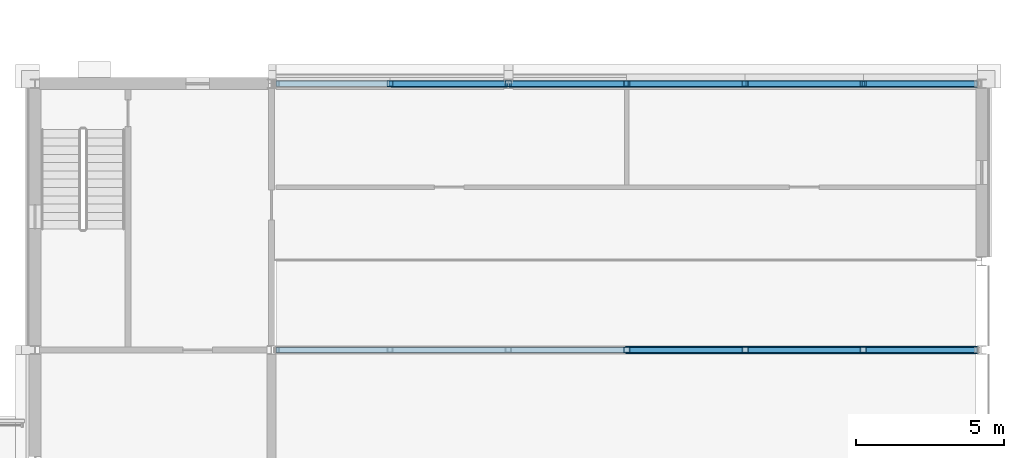
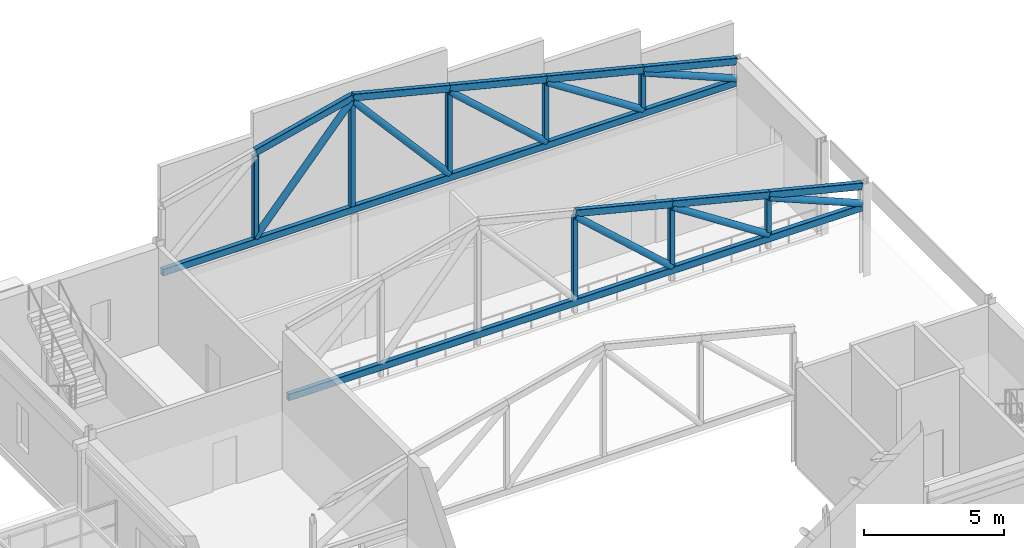
# One storey, part 72 of 149: 26 members.
"""IFC4 building model written with IfcOpenShell, lengths in metres."""

from ifc_helpers import new_model, si_unit, direction, frame, origin, origin_2d, place, context, subcontext, project, spatial, hollow_rectangle, hollow_circle, extrude, material, material_profile, profile_set, type_object, element, save


model = new_model("IFC4")

# Units and contexts
model_context = context("Model", 3, precision=1e-05, world=origin(), true_north=direction((0.0, 1.0)))
body_context = subcontext(model_context, "Body", "Model", "MODEL_VIEW")
ifc_project = project(units=[si_unit("LENGTHUNIT", "METRE"), si_unit("AREAUNIT", "SQUARE_METRE"), si_unit("VOLUMEUNIT", "CUBIC_METRE"), si_unit("PLANEANGLEUNIT", "RADIAN"), si_unit("MASSUNIT", "GRAM", prefix="KILO")], contexts=[model_context])

# Site, building, storey
site_placement = place(None, origin())
site = spatial("IfcSite", under=ifc_project, at=site_placement, CompositionType="ELEMENT")
building_placement = place(site_placement, origin())
building = spatial("IfcBuilding", under=site, at=building_placement, Name="Kallimachos Central Library", CompositionType="ELEMENT")
storey_placement = place(building_placement, frame((0.0, 0.0, 9.89990234375)))
storey = spatial("IfcBuildingStorey", under=building, at=storey_placement, Name="L02", CompositionType="ELEMENT", Elevation=9.89990234375)

# Members
ifc_material_1 = material(Name="Steel S355J2H", Category="steel")
ifc_material_profile_1 = material_profile(ifc_material_1, hollow_circle(Radius=0.136474609375, WallThickness=0.012451171875, at=origin_2d()), Name="CHS 273x12.5")
ifc_profile_set_1 = profile_set([ifc_material_profile_1], Name="Steel S355J2H")
member_type_1 = type_object("IfcMemberType", Name="CHS 273x12.5 truss brace", PredefinedType="BRACE", material=ifc_profile_set_1)
member_1_placement = place(storey_placement, frame((158.0, 105.0, 6.75), z_axis=(0.74330768127, 0.0, -0.668949692402), x_axis=(0.0, 1.0, 0.0)))
element("IfcMember", 1, at=member_1_placement, inside=storey, type_object=member_type_1, Name="Truss T3 brace 4", PredefinedType="BRACE", context=body_context, shape_type="SweptSolid", body=[
    extrude(hollow_circle(Radius=0.136474609375, WallThickness=0.012451171875, at=origin_2d()), origin(), (0.0, 0.0, 1.0), 5.38134765625),
])
member_2_placement = place(storey_placement, frame((162.0, 105.0, 5.75), z_axis=(0.838457646535, 0.0, -0.544966765012), x_axis=(0.0, 1.0, 0.0)))
element("IfcMember", 2, at=member_2_placement, inside=storey, type_object=member_type_1, Name="Truss T3 brace 5", PredefinedType="BRACE", context=body_context, shape_type="SweptSolid", body=[
    extrude(hollow_circle(Radius=0.136474609375, WallThickness=0.012451171875, at=origin_2d()), origin(), (0.0, 0.0, 1.0), 4.770751953125),
])
member_3_placement = place(storey_placement, frame((166.0, 105.0, 4.75), z_axis=(0.923447241071, 0.0, -0.38372541349), x_axis=(0.0, 1.0, 0.0)))
element("IfcMember", 3, at=member_3_placement, inside=storey, type_object=member_type_1, Name="Truss T3 brace 6", PredefinedType="BRACE", context=body_context, shape_type="SweptSolid", body=[
    extrude(hollow_circle(Radius=0.136474609375, WallThickness=0.012451171875, at=origin_2d()), origin(), (0.0, 0.0, 1.0), 4.169189453125),
])
for number, where, z_axis, x_axis, name in (
    (4, (150.0, 114.0, 3.150146484375), (0.656190613651, 0.0, 0.75459517528), (0.0, 1.0, 0.0), "Truss T4 brace 2"),
    (5, (154.0, 114.0, 7.75), (0.656190613651, 0.0, -0.75459517528), (0.0, 1.0, 0.0), "Truss T4 brace 3"),
):
    element("IfcMember", number, at=place(storey_placement, frame(where, z_axis=z_axis, x_axis=x_axis)), inside=storey, type_object=member_type_1, Name=name, PredefinedType="BRACE", context=body_context, shape_type="SweptSolid", body=[
        extrude(hollow_circle(Radius=0.136474609375, WallThickness=0.012451171875, at=origin_2d()), origin(), (0.0, 0.0, 1.0), 6.095703125),
    ])
member_4_placement = place(storey_placement, frame((158.0, 114.0, 6.75), z_axis=(0.74330768127, 0.0, -0.668949692402), x_axis=(0.0, 1.0, 0.0)))
element("IfcMember", 6, at=member_4_placement, inside=storey, type_object=member_type_1, Name="Truss T4 brace 4", PredefinedType="BRACE", context=body_context, shape_type="SweptSolid", body=[
    extrude(hollow_circle(Radius=0.136474609375, WallThickness=0.012451171875, at=origin_2d()), origin(), (0.0, 0.0, 1.0), 5.38134765625),
])
member_5_placement = place(storey_placement, frame((162.0, 114.0, 5.75), z_axis=(0.838457646535, 0.0, -0.544966765012), x_axis=(0.0, 1.0, 0.0)))
element("IfcMember", 7, at=member_5_placement, inside=storey, type_object=member_type_1, Name="Truss T4 brace 5", PredefinedType="BRACE", context=body_context, shape_type="SweptSolid", body=[
    extrude(hollow_circle(Radius=0.136474609375, WallThickness=0.012451171875, at=origin_2d()), origin(), (0.0, 0.0, 1.0), 4.770751953125),
])
member_6_placement = place(storey_placement, frame((166.0, 114.0, 4.75), z_axis=(0.923447241071, 0.0, -0.38372541349), x_axis=(0.0, 1.0, 0.0)))
element("IfcMember", 8, at=member_6_placement, inside=storey, type_object=member_type_1, Name="Truss T4 brace 6", PredefinedType="BRACE", context=body_context, shape_type="SweptSolid", body=[
    extrude(hollow_circle(Radius=0.136474609375, WallThickness=0.012451171875, at=origin_2d()), origin(), (0.0, 0.0, 1.0), 4.169189453125),
])
ifc_material_2 = material(Name="Steel S355J2H", Category="steel")
ifc_material_profile_2 = material_profile(ifc_material_2, hollow_rectangle(XDim=0.199951171875, YDim=0.300048828125, WallThickness=0.012451171875, InnerFilletRadius=0.012451171875, OuterFilletRadius=0.018798828125, at=origin_2d()), Name="RHS 300x200x12.5")
ifc_profile_set_2 = profile_set([ifc_material_profile_2], Name="Steel S355J2H")
member_type_2 = type_object("IfcMemberType", Name="RHS 300x200x12.5 truss chord", PredefinedType="CHORD", material=ifc_profile_set_2)
member_7_placement = place(storey_placement, frame((146.14990234375, 105.0, 3.0), z_axis=(1.0, 0.0, 0.0), x_axis=(0.0, 1.0, 0.0)))
element("IfcMember", 9, at=member_7_placement, inside=storey, type_object=member_type_2, Name="Truss T3 bottom chord", PredefinedType="CHORD", context=body_context, shape_type="SweptSolid", body=[
    extrude(hollow_rectangle(XDim=0.199951171875, YDim=0.300048828125, WallThickness=0.012451171875, InnerFilletRadius=0.012451171875, OuterFilletRadius=0.018798828125, at=origin_2d()), origin(), (0.0, 0.0, 1.0), 23.7001953125),
])
for number, where, z_axis, x_axis, name in (
    (10, (158.0, 105.0, 6.900146484375), (0.970142500145, 0.0, -0.242535625036), (0.0, 1.0, 0.0), "Truss T3 top chord 4"),
    (11, (162.0, 105.0, 5.900146484375), (0.970142500145, 0.0, -0.242535625036), (0.0, 1.0, 0.0), "Truss T3 top chord 5"),
):
    element("IfcMember", number, at=place(storey_placement, frame(where, z_axis=z_axis, x_axis=x_axis)), inside=storey, type_object=member_type_2, Name=name, PredefinedType="CHORD", context=body_context, shape_type="SweptSolid", body=[
        extrude(hollow_rectangle(XDim=0.199951171875, YDim=0.300048828125, WallThickness=0.012451171875, InnerFilletRadius=0.012451171875, OuterFilletRadius=0.018798828125, at=origin_2d()), origin(), (0.0, 0.0, 1.0), 4.123046875),
    ])
member_8_placement = place(storey_placement, frame((166.0, 105.0, 4.900146484375), z_axis=(0.970135262328, 0.0, -0.242564574468), x_axis=(0.0, 1.0, 0.0)))
element("IfcMember", 12, at=member_8_placement, inside=storey, type_object=member_type_2, Name="Truss T3 top chord 6", PredefinedType="CHORD", context=body_context, shape_type="SweptSolid", body=[
    extrude(hollow_rectangle(XDim=0.199951171875, YDim=0.300048828125, WallThickness=0.012451171875, InnerFilletRadius=0.012451171875, OuterFilletRadius=0.018798828125, at=origin_2d()), origin(), (0.0, 0.0, 1.0), 3.968505859375),
])
member_9_placement = place(storey_placement, frame((146.14990234375, 114.0, 3.0), z_axis=(1.0, 0.0, 0.0), x_axis=(0.0, 1.0, 0.0)))
element("IfcMember", 13, at=member_9_placement, inside=storey, type_object=member_type_2, Name="Truss T4 bottom chord", PredefinedType="CHORD", context=body_context, shape_type="SweptSolid", body=[
    extrude(hollow_rectangle(XDim=0.199951171875, YDim=0.300048828125, WallThickness=0.012451171875, InnerFilletRadius=0.012451171875, OuterFilletRadius=0.018798828125, at=origin_2d()), origin(), (0.0, 0.0, 1.0), 23.7001953125),
])
for number, where, z_axis, x_axis, name in (
    (14, (150.0, 114.0, 6.900146484375), (0.970142500145, 0.0, 0.242535625036), (0.0, 1.0, 0.0), "Truss T4 top chord 2"),
    (15, (154.0, 114.0, 7.900146484375), (0.970142500145, 0.0, -0.242535625036), (0.0, 1.0, 0.0), "Truss T4 top chord 3"),
    (16, (158.0, 114.0, 6.900146484375), (0.970142500145, 0.0, -0.242535625036), (0.0, 1.0, 0.0), "Truss T4 top chord 4"),
    (17, (162.0, 114.0, 5.900146484375), (0.970142500145, 0.0, -0.242535625036), (0.0, 1.0, 0.0), "Truss T4 top chord 5"),
):
    element("IfcMember", number, at=place(storey_placement, frame(where, z_axis=z_axis, x_axis=x_axis)), inside=storey, type_object=member_type_2, Name=name, PredefinedType="CHORD", context=body_context, shape_type="SweptSolid", body=[
        extrude(hollow_rectangle(XDim=0.199951171875, YDim=0.300048828125, WallThickness=0.012451171875, InnerFilletRadius=0.012451171875, OuterFilletRadius=0.018798828125, at=origin_2d()), origin(), (0.0, 0.0, 1.0), 4.123046875),
    ])
member_10_placement = place(storey_placement, frame((166.0, 114.0, 4.900146484375), z_axis=(0.970135262328, 0.0, -0.242564574468), x_axis=(0.0, 1.0, 0.0)))
element("IfcMember", 18, at=member_10_placement, inside=storey, type_object=member_type_2, Name="Truss T4 top chord 6", PredefinedType="CHORD", context=body_context, shape_type="SweptSolid", body=[
    extrude(hollow_rectangle(XDim=0.199951171875, YDim=0.300048828125, WallThickness=0.012451171875, InnerFilletRadius=0.012451171875, OuterFilletRadius=0.018798828125, at=origin_2d()), origin(), (0.0, 0.0, 1.0), 3.968505859375),
])
ifc_material_3 = material(Name="Steel S355J2H", Category="steel")
ifc_material_profile_3 = material_profile(ifc_material_3, hollow_rectangle(XDim=0.199951171875, YDim=0.199951171875, WallThickness=0.010009765625, InnerFilletRadius=0.010009765625, OuterFilletRadius=0.014892578125, at=origin_2d()), Name="SHS 200x200x10")
ifc_profile_set_3 = profile_set([ifc_material_profile_3], Name="Steel S355J2H")
member_type_3 = type_object("IfcMemberType", Name="SHS 200x200x10 truss post", PredefinedType="POST", material=ifc_profile_set_3)
member_11_placement = place(storey_placement, frame((158.0, 105.0, 3.150146484375), z_axis=(0.0, 0.0, 1.0), x_axis=(1.0, 0.0, 0.0)))
element("IfcMember", 19, at=member_11_placement, inside=storey, type_object=member_type_3, Name="Truss T3 post 4", PredefinedType="POST", context=body_context, shape_type="SweptSolid", body=[
    extrude(hollow_rectangle(XDim=0.199951171875, YDim=0.199951171875, WallThickness=0.010009765625, InnerFilletRadius=0.010009765625, OuterFilletRadius=0.014892578125, at=origin_2d()), origin(), (0.0, 0.0, 1.0), 3.599853515625),
])
member_12_placement = place(storey_placement, frame((162.0, 105.0, 3.150146484375), z_axis=(0.0, 0.0, 1.0), x_axis=(1.0, 0.0, 0.0)))
element("IfcMember", 20, at=member_12_placement, inside=storey, type_object=member_type_3, Name="Truss T3 post 5", PredefinedType="POST", context=body_context, shape_type="SweptSolid", body=[
    extrude(hollow_rectangle(XDim=0.199951171875, YDim=0.199951171875, WallThickness=0.010009765625, InnerFilletRadius=0.010009765625, OuterFilletRadius=0.014892578125, at=origin_2d()), origin(), (0.0, 0.0, 1.0), 2.599853515625),
])
member_13_placement = place(storey_placement, frame((166.0, 105.0, 3.150146484375), z_axis=(0.0, 0.0, 1.0), x_axis=(1.0, 0.0, 0.0)))
element("IfcMember", 21, at=member_13_placement, inside=storey, type_object=member_type_3, Name="Truss T3 post 6", PredefinedType="POST", context=body_context, shape_type="SweptSolid", body=[
    extrude(hollow_rectangle(XDim=0.199951171875, YDim=0.199951171875, WallThickness=0.010009765625, InnerFilletRadius=0.010009765625, OuterFilletRadius=0.014892578125, at=origin_2d()), origin(), (0.0, 0.0, 1.0), 1.599853515625),
])
member_14_placement = place(storey_placement, frame((150.0, 114.0, 3.150146484375), z_axis=(0.0, 0.0, 1.0), x_axis=(1.0, 0.0, 0.0)))
element("IfcMember", 22, at=member_14_placement, inside=storey, type_object=member_type_3, Name="Truss T4 post 2", PredefinedType="POST", context=body_context, shape_type="SweptSolid", body=[
    extrude(hollow_rectangle(XDim=0.199951171875, YDim=0.199951171875, WallThickness=0.010009765625, InnerFilletRadius=0.010009765625, OuterFilletRadius=0.014892578125, at=origin_2d()), origin(), (0.0, 0.0, 1.0), 3.599853515625),
])
member_15_placement = place(storey_placement, frame((154.0, 114.0, 3.150146484375), z_axis=(0.0, 0.0, 1.0), x_axis=(1.0, 0.0, 0.0)))
element("IfcMember", 23, at=member_15_placement, inside=storey, type_object=member_type_3, Name="Truss T4 post 3", PredefinedType="POST", context=body_context, shape_type="SweptSolid", body=[
    extrude(hollow_rectangle(XDim=0.199951171875, YDim=0.199951171875, WallThickness=0.010009765625, InnerFilletRadius=0.010009765625, OuterFilletRadius=0.014892578125, at=origin_2d()), origin(), (0.0, 0.0, 1.0), 4.599853515625),
])
member_16_placement = place(storey_placement, frame((158.0, 114.0, 3.150146484375), z_axis=(0.0, 0.0, 1.0), x_axis=(1.0, 0.0, 0.0)))
element("IfcMember", 24, at=member_16_placement, inside=storey, type_object=member_type_3, Name="Truss T4 post 4", PredefinedType="POST", context=body_context, shape_type="SweptSolid", body=[
    extrude(hollow_rectangle(XDim=0.199951171875, YDim=0.199951171875, WallThickness=0.010009765625, InnerFilletRadius=0.010009765625, OuterFilletRadius=0.014892578125, at=origin_2d()), origin(), (0.0, 0.0, 1.0), 3.599853515625),
])
member_17_placement = place(storey_placement, frame((162.0, 114.0, 3.150146484375), z_axis=(0.0, 0.0, 1.0), x_axis=(1.0, 0.0, 0.0)))
element("IfcMember", 25, at=member_17_placement, inside=storey, type_object=member_type_3, Name="Truss T4 post 5", PredefinedType="POST", context=body_context, shape_type="SweptSolid", body=[
    extrude(hollow_rectangle(XDim=0.199951171875, YDim=0.199951171875, WallThickness=0.010009765625, InnerFilletRadius=0.010009765625, OuterFilletRadius=0.014892578125, at=origin_2d()), origin(), (0.0, 0.0, 1.0), 2.599853515625),
])
member_18_placement = place(storey_placement, frame((166.0, 114.0, 3.150146484375), z_axis=(0.0, 0.0, 1.0), x_axis=(1.0, 0.0, 0.0)))
element("IfcMember", 26, at=member_18_placement, inside=storey, type_object=member_type_3, Name="Truss T4 post 6", PredefinedType="POST", context=body_context, shape_type="SweptSolid", body=[
    extrude(hollow_rectangle(XDim=0.199951171875, YDim=0.199951171875, WallThickness=0.010009765625, InnerFilletRadius=0.010009765625, OuterFilletRadius=0.014892578125, at=origin_2d()), origin(), (0.0, 0.0, 1.0), 1.599853515625),
])

save(model, "model.ifc")
